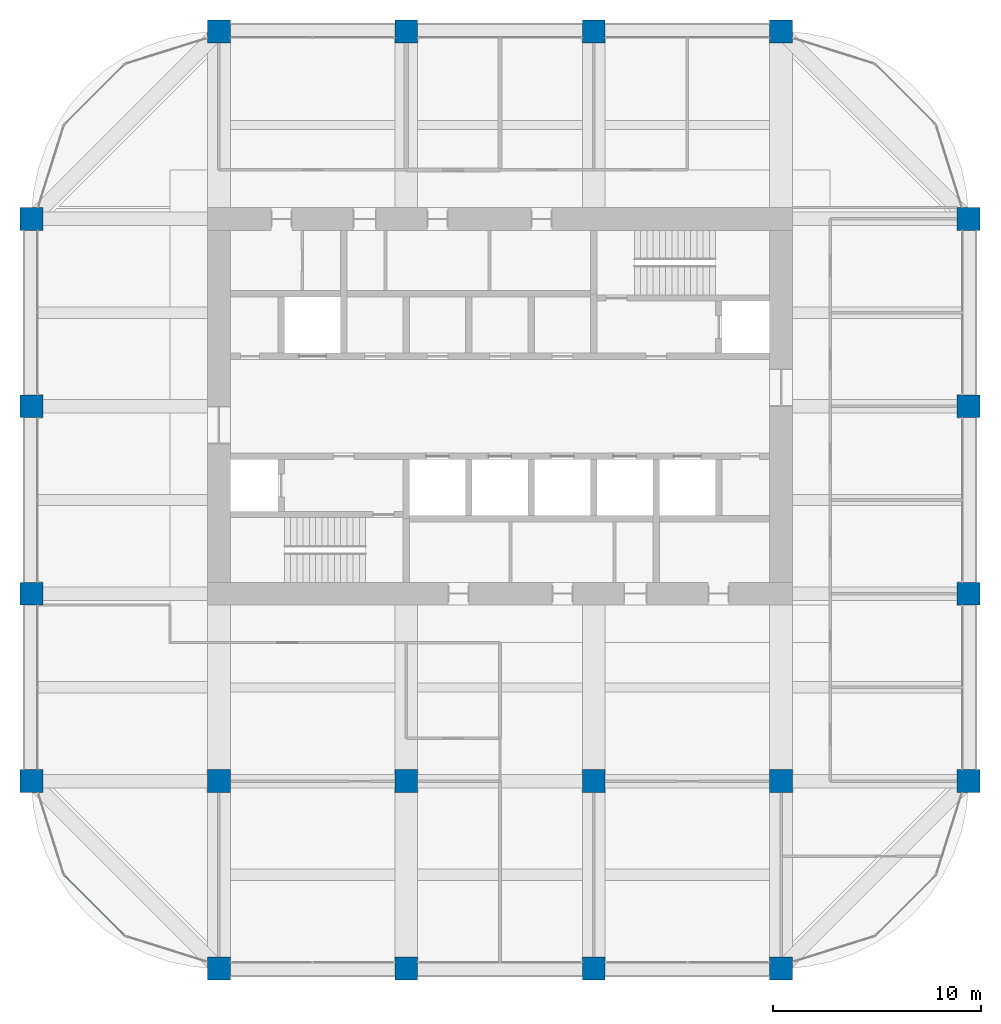
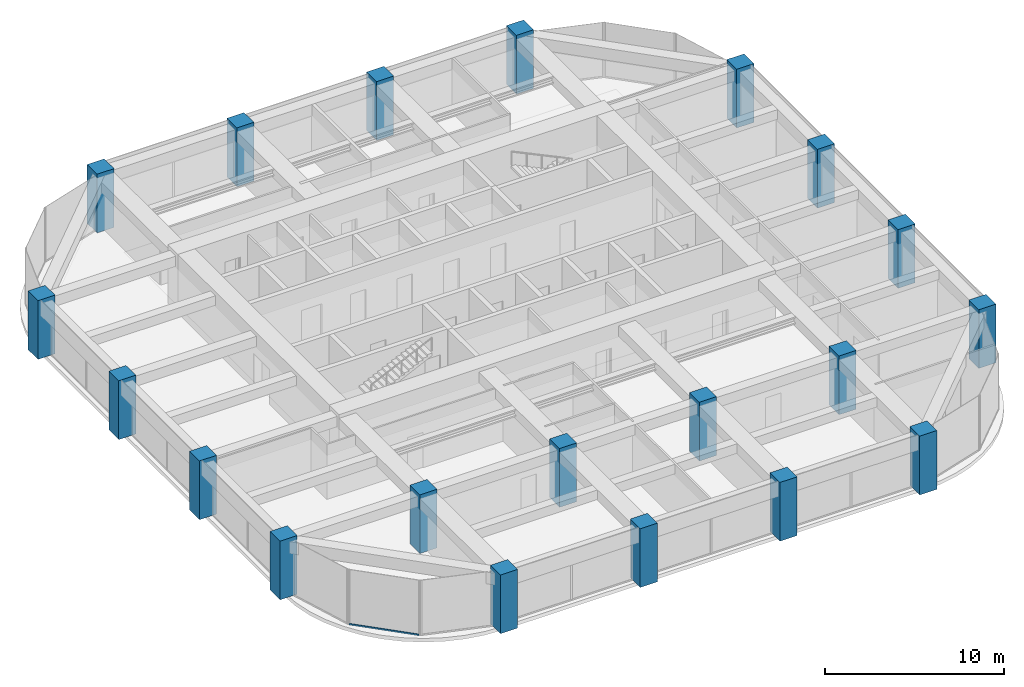
# One storey, part 1 of 45: 20 columns, 1 member, 1 element without a shape of its own.
"""IFC4 building model written with IfcOpenShell, lengths in metres."""

from ifc_helpers import new_model, si_unit, direction, frame, origin, origin_2d, place, context, subcontext, project, spatial, rectangle, hollow_rectangle, extrude, material, material_profile, profile_set, type_object, element, aggregate, save


model = new_model("IFC4")

# Units and contexts
model_context = context("Model", 3, precision=1e-05, world=origin(), true_north=direction((0.0, 1.0)))
body_context = subcontext(model_context, "Body", "Model", "MODEL_VIEW")
ifc_project = project(units=[si_unit("LENGTHUNIT", "METRE"), si_unit("AREAUNIT", "SQUARE_METRE"), si_unit("VOLUMEUNIT", "CUBIC_METRE"), si_unit("PLANEANGLEUNIT", "RADIAN"), si_unit("MASSUNIT", "GRAM", prefix="KILO")], contexts=[model_context])

# Site, building, storey
site_placement = place(None, origin())
site = spatial("IfcSite", under=ifc_project, at=site_placement, CompositionType="ELEMENT")
building_placement = place(site_placement, origin())
building = spatial("IfcBuilding", under=site, at=building_placement, Name="Zorevar Civic Tower", CompositionType="ELEMENT")
storey_placement = place(building_placement, frame((0.0, 0.0, 279.39990234375)))
storey = spatial("IfcBuildingStorey", under=building, at=storey_placement, Name="L68", CompositionType="ELEMENT", Elevation=279.39990234375)

# Columns
ifc_material_1 = material(Name="Concrete C50/60", Category="concrete")
ifc_material_profile_1 = material_profile(ifc_material_1, rectangle(XDim=1.10009765625, YDim=1.10009765625, at=origin_2d()), Name="RC 1100x1100")
ifc_profile_set_1 = profile_set([ifc_material_profile_1], Name="Concrete C50/60")
column_type = type_object("IfcColumnType", Name="Column RC 1100x1100", PredefinedType="COLUMN", material=ifc_profile_set_1)
for number, where, z_axis, x_axis, name in (
    (1, (9.0, 9.0, 0.0), (0.0, 0.0, 1.0), (1.0, 0.0, 0.0), "Column 3B L68"),
    (2, (9.0, 18.0, 0.0), (0.0, 0.0, 1.0), (1.0, 0.0, 0.0), "Column 3C L68"),
    (3, (9.0, 27.0, 0.0), (0.0, 0.0, 1.0), (1.0, 0.0, 0.0), "Column 3D L68"),
    (4, (9.0, 36.0, 0.0), (0.0, 0.0, 1.0), (1.0, 0.0, 0.0), "Column 3E L68"),
    (5, (18.0, 0.0, 0.0), (0.0, 0.0, 1.0), (1.0, 0.0, 0.0), "Column 4A L68"),
    (6, (18.0, 9.0, 0.0), (0.0, 0.0, 1.0), (1.0, 0.0, 0.0), "Column 4B L68"),
    (7, (18.0, 45.0, 0.0), (0.0, 0.0, 1.0), (1.0, 0.0, 0.0), "Column 4F L68"),
    (8, (27.0, 0.0, 0.0), (0.0, 0.0, 1.0), (1.0, 0.0, 0.0), "Column 5A L68"),
    (9, (27.0, 9.0, 0.0), (0.0, 0.0, 1.0), (1.0, 0.0, 0.0), "Column 5B L68"),
    (10, (27.0, 45.0, 0.0), (0.0, 0.0, 1.0), (1.0, 0.0, 0.0), "Column 5F L68"),
    (11, (36.0, 0.0, 0.0), (0.0, 0.0, 1.0), (1.0, 0.0, 0.0), "Column 6A L68"),
    (12, (36.0, 9.0, 0.0), (0.0, 0.0, 1.0), (1.0, 0.0, 0.0), "Column 6B L68"),
    (13, (36.0, 45.0, 0.0), (0.0, 0.0, 1.0), (1.0, 0.0, 0.0), "Column 6F L68"),
    (14, (45.0, 0.0, 0.0), (0.0, 0.0, 1.0), (1.0, 0.0, 0.0), "Column 7A L68"),
    (15, (45.0, 9.0, 0.0), (0.0, 0.0, 1.0), (1.0, 0.0, 0.0), "Column 7B L68"),
    (16, (45.0, 45.0, 0.0), (0.0, 0.0, 1.0), (1.0, 0.0, 0.0), "Column 7F L68"),
    (17, (54.0, 9.0, 0.0), (0.0, 0.0, 1.0), (1.0, 0.0, 0.0), "Column 8B L68"),
    (18, (54.0, 18.0, 0.0), (0.0, 0.0, 1.0), (1.0, 0.0, 0.0), "Column 8C L68"),
    (19, (54.0, 27.0, 0.0), (0.0, 0.0, 1.0), (1.0, 0.0, 0.0), "Column 8D L68"),
    (20, (54.0, 36.0, 0.0), (0.0, 0.0, 1.0), (1.0, 0.0, 0.0), "Column 8E L68"),
):
    element("IfcColumn", number, at=place(storey_placement, frame(where, z_axis=z_axis, x_axis=x_axis)), inside=storey, type_object=column_type, Name=name, PredefinedType="COLUMN", context=body_context, shape_type="SweptSolid", body=[
        extrude(rectangle(XDim=1.10009765625, YDim=1.10009765625, at=origin_2d()), origin(), (0.0, 0.0, 1.0), 4.0),
    ])

# Curtain wall, member
ifc_material_2 = material(Name="Dark grey solar-control glass in black aluminium frame", Category="aluminium")
curtain_wall_type = type_object("IfcCurtainWallType", Name="Curtain wall CW5 top zone", PredefinedType="NOTDEFINED", material=ifc_material_2)
curtain_wall_placement = place(storey_placement, origin())
curtain_wall = element("IfcCurtainWall", 21, at=curtain_wall_placement, inside=storey, type_object=curtain_wall_type, Name="CW5 L68", PredefinedType="NOTDEFINED")
ifc_material_3 = material(Name="Aluminium, black anodised", Category="aluminium")
ifc_material_profile_2 = material_profile(ifc_material_3, hollow_rectangle(XDim=0.06005859375, YDim=0.1201171875, WallThickness=0.0029296875, at=origin_2d()), Name="AL 120x60x3")
ifc_profile_set_2 = profile_set([ifc_material_profile_2], Name="Aluminium, black anodised")
member_type = type_object("IfcMemberType", Name="CW5 transom AL 120x60x3", PredefinedType="USERDEFINED", material=ifc_profile_set_2)
member_placement = place(storey_placement, frame((10.6015625, 4.44970703125, 0.030029296875), z_axis=(0.707106781187, -0.707106781187, 0.0), x_axis=(0.707106781187, 0.707106781187, 0.0)))
member = element("IfcMember", 22, at=member_placement, type_object=member_type, Name="CW5 sill transom", ObjectType="TRANSOM", PredefinedType="USERDEFINED", context=body_context, shape_type="SweptSolid", body=[
    extrude(hollow_rectangle(XDim=0.06005859375, YDim=0.1201171875, WallThickness=0.0029296875, at=origin_2d()), origin(), (0.0, 0.0, 1.0), 4.02783203125),
])
aggregate(curtain_wall, [member])

save(model, "model.ifc")
